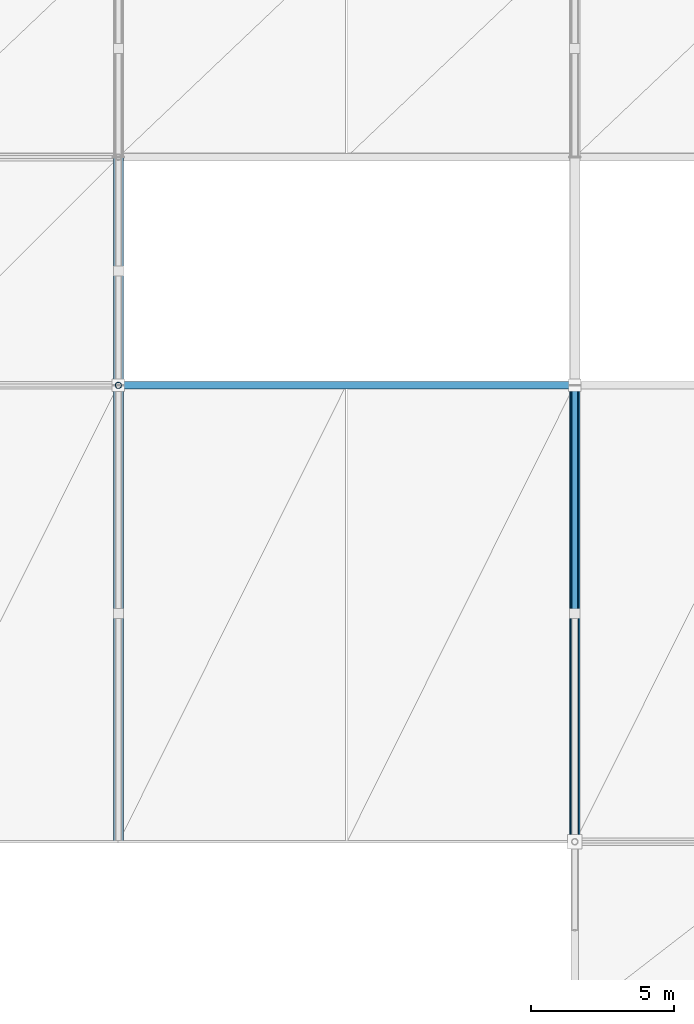
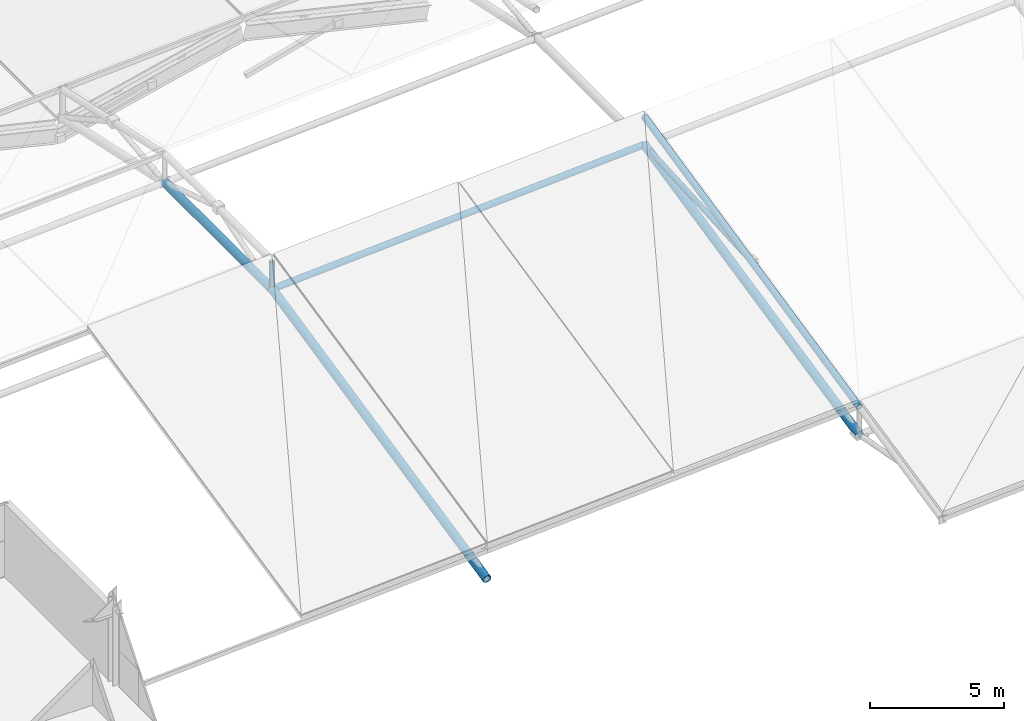
# One storey, part 17 of 67: 4 beams, 3 members.
"""IFC4 building model written with IfcOpenShell, lengths in metres."""

from ifc_helpers import new_model, si_unit, direction, frame, origin, origin_2d, place, context, subcontext, project, spatial, hollow_circle, extrude, material, material_profile, profile_set, type_object, element, save


model = new_model("IFC4")

# Units and contexts
model_context = context("Model", 3, precision=1e-05, world=origin(), true_north=direction((0.0, 1.0)))
body_context = subcontext(model_context, "Body", "Model", "MODEL_VIEW")
ifc_project = project(units=[si_unit("LENGTHUNIT", "METRE"), si_unit("AREAUNIT", "SQUARE_METRE"), si_unit("VOLUMEUNIT", "CUBIC_METRE"), si_unit("PLANEANGLEUNIT", "RADIAN"), si_unit("MASSUNIT", "GRAM", prefix="KILO")], contexts=[model_context])

# Site, building, storey
site_placement = place(None, origin())
site = spatial("IfcSite", under=ifc_project, at=site_placement, CompositionType="ELEMENT")
building_placement = place(site_placement, origin())
building = spatial("IfcBuilding", under=site, at=building_placement, Name="Drelvath Fold Interchange", CompositionType="ELEMENT")
storey_placement = place(building_placement, frame((0.0, 0.0, 15.60009765625)))
storey = spatial("IfcBuildingStorey", under=building, at=storey_placement, Name="L03", CompositionType="ELEMENT", Elevation=15.60009765625)

# Member
ifc_material = material(Name="Steel ASTM A500 Grade C", Category="steel")
ifc_material_profile_1 = material_profile(ifc_material, hollow_circle(Radius=0.136474609375, WallThickness=0.01171875, at=origin_2d()), Name="HSS10.750X0.500")
ifc_profile_set_1 = profile_set([ifc_material_profile_1], Name="Steel ASTM A500 Grade C")
member_type_1 = type_object("IfcMemberType", Name="SF-CHD273", PredefinedType="CHORD", material=ifc_profile_set_1)
member_1_placement = place(storey_placement, frame((84.0, 27.0, 1.323974609375), z_axis=(0.0, 0.977052272987, 0.212999661624), x_axis=(-1.0, 0.0, 0.0)))
element("IfcMember", 1, at=member_1_placement, inside=storey, type_object=member_type_1, Name="L03 Space frame roof truss upper chord SF-CHD273", PredefinedType="CHORD", context=body_context, shape_type="SweptSolid", body=[
    extrude(hollow_circle(Radius=0.136474609375, WallThickness=0.01171875, at=origin_2d()), origin(), (0.0, 0.0, 1.0), 16.375732421875),
])

# Beams
ifc_material_profile_2 = material_profile(ifc_material, hollow_circle(Radius=0.177978515625, WallThickness=0.01171875, at=origin_2d()), Name="HSS14.000X0.500")
ifc_profile_set_2 = profile_set([ifc_material_profile_2], Name="Steel ASTM A500 Grade C")
beam_type_1 = type_object("IfcBeamType", Name="SF-RIB356", PredefinedType="BEAM", material=ifc_profile_set_2)
beam_1_placement = place(storey_placement, frame((68.0, 27.0, -0.908203125), z_axis=(0.0, 0.977052272987, 0.212999661624), x_axis=(-1.0, 0.0, 0.0)))
element("IfcBeam", 2, at=beam_1_placement, inside=storey, type_object=beam_type_1, Name="Space frame roof truss main rib chord WEST", PredefinedType="BEAM", context=body_context, shape_type="SweptSolid", body=[
    extrude(hollow_circle(Radius=0.177978515625, WallThickness=0.01171875, at=origin_2d()), origin(), (0.0, 0.0, 1.0), 16.375732421875),
])
beam_2_placement = place(storey_placement, frame((68.0, 43.0, 2.579833984375), z_axis=(0.0, 1.0, 0.0), x_axis=(-1.0, 0.0, 0.0)))
element("IfcBeam", 3, at=beam_2_placement, inside=storey, type_object=beam_type_1, Name="Space frame roof truss main rib chord WEST", PredefinedType="BEAM", context=body_context, shape_type="SweptSolid", body=[
    extrude(hollow_circle(Radius=0.177978515625, WallThickness=0.01171875, at=origin_2d()), origin(), (0.0, 0.0, 1.0), 8.0),
])
beam_3_placement = place(storey_placement, frame((84.0, 27.0, 0.053955078125), z_axis=(0.0, 0.977052272987, 0.212999661624), x_axis=(-1.0, 0.0, 0.0)))
element("IfcBeam", 4, at=beam_3_placement, inside=storey, type_object=beam_type_1, Name="Space frame roof truss main rib chord WEST", PredefinedType="BEAM", context=body_context, shape_type="SweptSolid", body=[
    extrude(hollow_circle(Radius=0.177978515625, WallThickness=0.01171875, at=origin_2d()), origin(), (0.0, 0.0, 1.0), 16.375732421875),
])
ifc_material_profile_3 = material_profile(ifc_material, hollow_circle(Radius=0.136474609375, WallThickness=0.01171875, at=origin_2d()), Name="HSS10.750X0.500")
ifc_profile_set_3 = profile_set([ifc_material_profile_3], Name="Steel ASTM A500 Grade C")
beam_type_2 = type_object("IfcBeamType", Name="SF-TIE273", PredefinedType="BEAM", material=ifc_profile_set_3)
beam_4_placement = place(storey_placement, frame((68.050048828125, 43.0, 2.579833984375), z_axis=(0.998174073419, 0.0, 0.060402973058), x_axis=(0.0, 1.0, 0.0)))
element("IfcBeam", 5, at=beam_4_placement, inside=storey, type_object=beam_type_2, Name="Space frame roof truss longitudinal tie WEST", PredefinedType="BEAM", context=body_context, shape_type="SweptSolid", body=[
    extrude(hollow_circle(Radius=0.136474609375, WallThickness=0.01171875, at=origin_2d()), origin(), (0.0, 0.0, 1.0), 15.928955078125),
])

# Members
ifc_material_profile_4 = material_profile(ifc_material, hollow_circle(Radius=0.109619140625, WallThickness=0.0087890625, at=origin_2d()), Name="HSS8.625X0.375")
ifc_profile_set_4 = profile_set([ifc_material_profile_4], Name="Steel ASTM A500 Grade C")
member_type_2 = type_object("IfcMemberType", Name="SF-WEB219", PredefinedType="BRACE", material=ifc_profile_set_4)
member_2_placement = place(storey_placement, frame((68.0, 43.0, 2.579833984375), z_axis=(0.0, 0.0, 1.0), x_axis=(1.0, 0.0, 0.0)))
element("IfcMember", 6, at=member_2_placement, inside=storey, type_object=member_type_2, Name="L03 Space frame roof truss web brace SF-WEB219", PredefinedType="BRACE", context=body_context, shape_type="SweptSolid", body=[
    extrude(hollow_circle(Radius=0.109619140625, WallThickness=0.0087890625, at=origin_2d()), origin(), (0.0, 0.0, 1.0), 1.27001953125),
])
member_3_placement = place(storey_placement, frame((84.0, 35.0, 3.06787109375), z_axis=(0.0, 0.998248434528, 0.059161329952), x_axis=(-1.0, 0.0, 0.0)))
element("IfcMember", 7, at=member_3_placement, inside=storey, type_object=member_type_2, Name="L03 Space frame roof truss web brace SF-WEB219", PredefinedType="BRACE", context=body_context, shape_type="SweptSolid", body=[
    extrude(hollow_circle(Radius=0.109619140625, WallThickness=0.0087890625, at=origin_2d()), origin(), (0.0, 0.0, 1.0), 8.013916015625),
])

save(model, "model.ifc")
